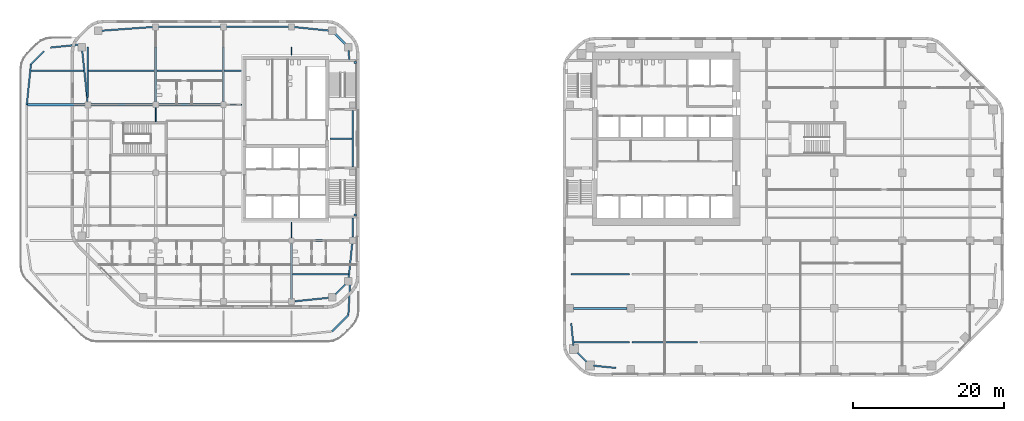
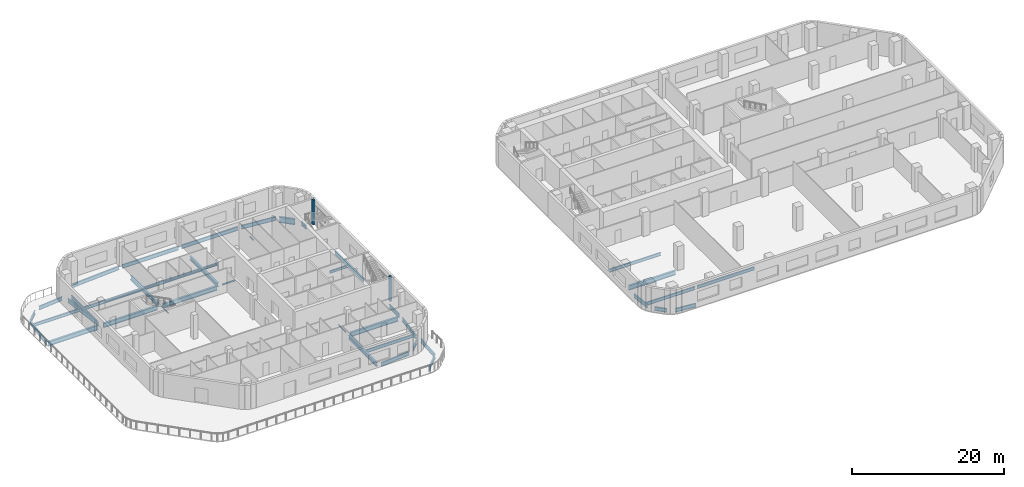
# One storey, part 2 of 15: 42 beams, 2 members.
"""IFC4 building model written with IfcOpenShell, lengths in metres."""

from ifc_helpers import new_model, si_unit, direction, frame, origin, origin_2d, place, context, subcontext, project, spatial, rectangle, i_section, extrude, material, material_profile, profile_set, type_object, element, save


model = new_model("IFC4")

# Units and contexts
model_context = context("Model", 3, precision=1e-05, world=origin(), true_north=direction((0.0, 1.0)))
body_context = subcontext(model_context, "Body", "Model", "MODEL_VIEW")
ifc_project = project(units=[si_unit("LENGTHUNIT", "METRE"), si_unit("AREAUNIT", "SQUARE_METRE"), si_unit("VOLUMEUNIT", "CUBIC_METRE"), si_unit("PLANEANGLEUNIT", "RADIAN"), si_unit("MASSUNIT", "GRAM", prefix="KILO")], contexts=[model_context])

# Site, building, storey
site_placement = place(None, origin())
site = spatial("IfcSite", under=ifc_project, at=site_placement, CompositionType="ELEMENT")
building_placement = place(site_placement, origin())
building = spatial("IfcBuilding", under=site, at=building_placement, Name="Cinnabar Reach Civic Tower", CompositionType="ELEMENT")
storey_placement = place(building_placement, frame((0.0, 0.0, 51.0)))
storey = spatial("IfcBuildingStorey", under=building, at=storey_placement, Name="L11", CompositionType="ELEMENT", Elevation=51.0)

# Beams
ifc_material_1 = material(Name="Steel Q355B", Category="steel")
ifc_material_profile_1 = material_profile(ifc_material_1, i_section(OverallWidth=0.302, OverallDepth=0.594, WebThickness=0.014, FlangeThickness=0.023, FilletRadius=0.016, at=origin_2d()), Name="HM594x302x14x23")
ifc_profile_set_1 = profile_set([ifc_material_profile_1], Name="Steel Q355B")
beam_type_1 = type_object("IfcBeamType", Name="HM594x302x14x23 beam R 120", PredefinedType="BEAM", material=ifc_profile_set_1)
for number, where, z_axis, x_axis, name in (
    (1, (-54.0, 36.402, -0.447), (0.0, 1.0, 0.0), (-1.0, 0.0, 0.0), "Girder T2 L11 10"),
    (2, (-45.0, 36.402, -0.447), (0.0, 1.0, 0.0), (-1.0, 0.0, 0.0), "Girder T2 L11 14"),
):
    element("IfcBeam", number, at=place(storey_placement, frame(where, z_axis=z_axis, x_axis=x_axis)), inside=storey, type_object=beam_type_1, Name=name, PredefinedType="BEAM", context=body_context, shape_type="SweptSolid", body=[
        extrude(i_section(OverallWidth=0.302, OverallDepth=0.594, WebThickness=0.014, FlangeThickness=0.023, FilletRadius=0.016, at=origin_2d()), origin(), (0.0, 0.0, 1.0), 7.246),
    ])
beam_1_placement = place(storey_placement, frame((-36.0, 10.202, -0.447), z_axis=(0.0, 1.0, 0.0), x_axis=(-1.0, 0.0, 0.0)))
element("IfcBeam", 3, at=beam_1_placement, inside=storey, type_object=beam_type_1, Name="Girder T2 L11 16", PredefinedType="BEAM", context=body_context, shape_type="SweptSolid", body=[
    extrude(i_section(OverallWidth=0.302, OverallDepth=0.594, WebThickness=0.014, FlangeThickness=0.023, FilletRadius=0.016, at=origin_2d()), origin(), (0.0, 0.0, 1.0), 7.396),
])
ifc_material_profile_2 = material_profile(ifc_material_1, i_section(OverallWidth=0.099, OverallDepth=0.198, WebThickness=0.0045, FlangeThickness=0.007, FilletRadius=0.013, at=origin_2d()), Name="HN200x100x5.5x8")
ifc_profile_set_2 = profile_set([ifc_material_profile_2], Name="Steel Q355B")
beam_type_2 = type_object("IfcBeamType", Name="HN200x100x5.5x8 beam R 120", PredefinedType="BEAM", material=ifc_profile_set_2)
beam_2_placement = place(storey_placement, frame((-54.0, 33.752, -0.249), z_axis=(0.0, 1.0, 0.0), x_axis=(-1.0, 0.0, 0.0)))
element("IfcBeam", 4, at=beam_2_placement, inside=storey, type_object=beam_type_2, Name="Girder T2 L11 9", PredefinedType="BEAM", context=body_context, shape_type="SweptSolid", body=[
    extrude(i_section(OverallWidth=0.099, OverallDepth=0.198, WebThickness=0.0045, FlangeThickness=0.007, FilletRadius=0.013, at=origin_2d()), origin(), (0.0, 0.0, 1.0), 1.846),
])
beam_3_placement = place(storey_placement, frame((-36.0, 18.402, -0.249), z_axis=(0.0, 1.0, 0.0), x_axis=(-1.0, 0.0, 0.0)))
element("IfcBeam", 5, at=beam_3_placement, inside=storey, type_object=beam_type_2, Name="Girder T2 L11 17", PredefinedType="BEAM", context=body_context, shape_type="SweptSolid", body=[
    extrude(i_section(OverallWidth=0.099, OverallDepth=0.198, WebThickness=0.0045, FlangeThickness=0.007, FilletRadius=0.013, at=origin_2d()), origin(), (0.0, 0.0, 1.0), 1.996),
])
beam_4_placement = place(storey_placement, frame((-36.0, 42.602, -0.249), z_axis=(0.0, 1.0, 0.0), x_axis=(-1.0, 0.0, 0.0)))
element("IfcBeam", 6, at=beam_4_placement, inside=storey, type_object=beam_type_2, Name="Girder T2 L11 18", PredefinedType="BEAM", context=body_context, shape_type="SweptSolid", body=[
    extrude(i_section(OverallWidth=0.099, OverallDepth=0.198, WebThickness=0.0045, FlangeThickness=0.007, FilletRadius=0.013, at=origin_2d()), origin(), (0.0, 0.0, 1.0), 1.046),
])
ifc_material_profile_3 = material_profile(ifc_material_1, i_section(OverallWidth=0.124, OverallDepth=0.248, WebThickness=0.005, FlangeThickness=0.008, FilletRadius=0.013, at=origin_2d()), Name="HN250x125x6x9")
ifc_profile_set_3 = profile_set([ifc_material_profile_3], Name="Steel Q355B")
beam_type_3 = type_object("IfcBeamType", Name="HN250x125x6x9 beam R 120", PredefinedType="BEAM", material=ifc_profile_set_3)
beam_5_placement = place(storey_placement, frame((-44.598, 36.0, -0.274), z_axis=(1.0, 0.0, 0.0), x_axis=(0.0, 1.0, 0.0)))
element("IfcBeam", 7, at=beam_5_placement, inside=storey, type_object=beam_type_3, Name="Girder T2 L11 13", PredefinedType="BEAM", context=body_context, shape_type="SweptSolid", body=[
    extrude(i_section(OverallWidth=0.124, OverallDepth=0.248, WebThickness=0.005, FlangeThickness=0.008, FilletRadius=0.013, at=origin_2d()), origin(), (0.0, 0.0, 1.0), 1.996),
])
ifc_material_profile_4 = material_profile(ifc_material_1, i_section(OverallWidth=0.199, OverallDepth=0.396, WebThickness=0.007, FlangeThickness=0.011, FilletRadius=0.013, at=origin_2d()), Name="HN396x199x7x11")
ifc_profile_set_4 = profile_set([ifc_material_profile_4], Name="Steel Q355B")
beam_type_4 = type_object("IfcBeamType", Name="HN396x199x7x11 beam R 120", PredefinedType="BEAM", material=ifc_profile_set_4)
beam_6_placement = place(storey_placement, frame((-30.898, 31.5, -0.348), z_axis=(1.0, 0.0, 0.0), x_axis=(0.0, 1.0, 0.0)))
element("IfcBeam", 8, at=beam_6_placement, inside=storey, type_object=beam_type_4, Name="Secondary beam T2 L11 15", PredefinedType="BEAM", context=body_context, shape_type="SweptSolid", body=[
    extrude(i_section(OverallWidth=0.199, OverallDepth=0.396, WebThickness=0.007, FlangeThickness=0.011, FilletRadius=0.013, at=origin_2d()), origin(), (0.0, 0.0, 1.0), 2.896),
])
beam_7_placement = place(storey_placement, frame((-44.847, 40.5, -0.348), z_axis=(1.0, 0.0, 0.0), x_axis=(0.0, 1.0, 0.0)))
element("IfcBeam", 9, at=beam_7_placement, inside=storey, type_object=beam_type_4, Name="Secondary beam T2 L11 19", PredefinedType="BEAM", context=body_context, shape_type="SweptSolid", body=[
    extrude(i_section(OverallWidth=0.199, OverallDepth=0.396, WebThickness=0.007, FlangeThickness=0.011, FilletRadius=0.013, at=origin_2d()), origin(), (0.0, 0.0, 1.0), 2.245),
])
ifc_material_profile_5 = material_profile(ifc_material_1, i_section(OverallWidth=0.199, OverallDepth=0.496, WebThickness=0.009, FlangeThickness=0.014, FilletRadius=0.016, at=origin_2d()), Name="HN496x199x9x14")
ifc_profile_set_5 = profile_set([ifc_material_profile_5], Name="Steel Q355B")
beam_type_5 = type_object("IfcBeamType", Name="HN496x199x9x14 beam R 120", PredefinedType="BEAM", material=ifc_profile_set_5)
beam_8_placement = place(storey_placement, frame((-35.847, 13.5, -0.398), z_axis=(1.0, 0.0, 0.0), x_axis=(0.0, 1.0, 0.0)))
element("IfcBeam", 10, at=beam_8_placement, inside=storey, type_object=beam_type_5, Name="Secondary beam T2 L11 6", PredefinedType="BEAM", context=body_context, shape_type="SweptSolid", body=[
    extrude(i_section(OverallWidth=0.199, OverallDepth=0.496, WebThickness=0.009, FlangeThickness=0.014, FilletRadius=0.016, at=origin_2d()), origin(), (0.0, 0.0, 1.0), 7.3834),
])
beam_9_placement = place(storey_placement, frame((-70.5364, 40.5, -0.398), z_axis=(1.0, 0.0, 0.0), x_axis=(0.0, 1.0, 0.0)))
element("IfcBeam", 11, at=beam_9_placement, inside=storey, type_object=beam_type_5, Name="Secondary beam T2 L11 16", PredefinedType="BEAM", context=body_context, shape_type="SweptSolid", body=[
    extrude(i_section(OverallWidth=0.199, OverallDepth=0.496, WebThickness=0.009, FlangeThickness=0.014, FilletRadius=0.016, at=origin_2d()), origin(), (0.0, 0.0, 1.0), 6.965),
])
beam_10_placement = place(storey_placement, frame((-62.8985, 40.5, -0.398), z_axis=(1.0, 0.0, 0.0), x_axis=(0.0, 1.0, 0.0)))
element("IfcBeam", 12, at=beam_10_placement, inside=storey, type_object=beam_type_5, Name="Secondary beam T2 L11 17", PredefinedType="BEAM", context=body_context, shape_type="SweptSolid", body=[
    extrude(i_section(OverallWidth=0.199, OverallDepth=0.496, WebThickness=0.009, FlangeThickness=0.014, FilletRadius=0.016, at=origin_2d()), origin(), (0.0, 0.0, 1.0), 8.7455),
])
beam_11_placement = place(storey_placement, frame((-53.847, 40.5, -0.398), z_axis=(1.0, 0.0, 0.0), x_axis=(0.0, 1.0, 0.0)))
element("IfcBeam", 13, at=beam_11_placement, inside=storey, type_object=beam_type_5, Name="Secondary beam T2 L11 18", PredefinedType="BEAM", context=body_context, shape_type="SweptSolid", body=[
    extrude(i_section(OverallWidth=0.199, OverallDepth=0.496, WebThickness=0.009, FlangeThickness=0.014, FilletRadius=0.016, at=origin_2d()), origin(), (0.0, 0.0, 1.0), 8.694),
])
ifc_material_profile_6 = material_profile(ifc_material_1, i_section(OverallWidth=0.2, OverallDepth=0.5, WebThickness=0.01, FlangeThickness=0.016, FilletRadius=0.016, at=origin_2d()), Name="HN500x200x10x16")
ifc_profile_set_6 = profile_set([ifc_material_profile_6], Name="Steel Q355B")
beam_type_6 = type_object("IfcBeamType", Name="HN500x200x10x16 beam R 180", PredefinedType="BEAM", material=ifc_profile_set_6)
beam_12_placement = place(storey_placement, frame((1.4636, 4.5, -0.4), z_axis=(1.0, 0.0, 0.0), x_axis=(0.0, 1.0, 0.0)))
element("IfcBeam", 14, at=beam_12_placement, inside=storey, type_object=beam_type_6, Name="Secondary beam T1 L11 1", PredefinedType="BEAM", context=body_context, shape_type="SweptSolid", body=[
    extrude(i_section(OverallWidth=0.2, OverallDepth=0.5, WebThickness=0.01, FlangeThickness=0.016, FilletRadius=0.016, at=origin_2d()), origin(), (0.0, 0.0, 1.0), 7.3819),
])
beam_13_placement = place(storey_placement, frame((9.1545, 4.5, -0.4), z_axis=(1.0, 0.0, 0.0), x_axis=(0.0, 1.0, 0.0)))
element("IfcBeam", 15, at=beam_13_placement, inside=storey, type_object=beam_type_6, Name="Secondary beam T1 L11 2", PredefinedType="BEAM", context=body_context, shape_type="SweptSolid", body=[
    extrude(i_section(OverallWidth=0.2, OverallDepth=0.5, WebThickness=0.01, FlangeThickness=0.016, FilletRadius=0.016, at=origin_2d()), origin(), (0.0, 0.0, 1.0), 8.691),
])
beam_14_placement = place(storey_placement, frame((1.102, 13.5, -0.4), z_axis=(1.0, 0.0, 0.0), x_axis=(0.0, 1.0, 0.0)))
element("IfcBeam", 16, at=beam_14_placement, inside=storey, type_object=beam_type_6, Name="Secondary beam T1 L11 7", PredefinedType="BEAM", context=body_context, shape_type="SweptSolid", body=[
    extrude(i_section(OverallWidth=0.2, OverallDepth=0.5, WebThickness=0.01, FlangeThickness=0.016, FilletRadius=0.016, at=origin_2d()), origin(), (0.0, 0.0, 1.0), 7.7435),
])
ifc_material_profile_7 = material_profile(ifc_material_1, i_section(OverallWidth=0.199, OverallDepth=0.596, WebThickness=0.01, FlangeThickness=0.015, FilletRadius=0.016, at=origin_2d()), Name="HN596x199x10x15")
ifc_profile_set_7 = profile_set([ifc_material_profile_7], Name="Steel Q355B")
beam_type_7 = type_object("IfcBeamType", Name="HN596x199x10x15 beam R 120", PredefinedType="BEAM", material=ifc_profile_set_7)
beam_15_placement = place(storey_placement, frame((-63.0, 36.9842, -0.448), z_axis=(0.0, 1.0, 0.0), x_axis=(-1.0, 0.0, 0.0)))
element("IfcBeam", 17, at=beam_15_placement, inside=storey, type_object=beam_type_7, Name="Girder T2 L11 4", PredefinedType="BEAM", context=body_context, shape_type="SweptSolid", body=[
    extrude(i_section(OverallWidth=0.199, OverallDepth=0.596, WebThickness=0.01, FlangeThickness=0.015, FilletRadius=0.016, at=origin_2d()), origin(), (0.0, 0.0, 1.0), 6.6638),
])
ifc_material_profile_8 = material_profile(ifc_material_1, i_section(OverallWidth=0.2, OverallDepth=0.6, WebThickness=0.011, FlangeThickness=0.017, FilletRadius=0.016, at=origin_2d()), Name="HN600x200x11x17")
ifc_profile_set_8 = profile_set([ifc_material_profile_8], Name="Steel Q355B")
beam_type_8 = type_object("IfcBeamType", Name="HN600x200x11x17 beam R 120", PredefinedType="BEAM", material=ifc_profile_set_8)
beam_16_placement = place(storey_placement, frame((-35.548, 9.9463, -0.45), z_axis=(0.994792272495, 0.101923179821, 0.0), x_axis=(-0.101923179821, 0.994792272495, 0.0)))
element("IfcBeam", 18, at=beam_16_placement, inside=storey, type_object=beam_type_8, Name="Edge beam T2 L11 3", PredefinedType="BEAM", context=body_context, shape_type="SweptSolid", body=[
    extrude(i_section(OverallWidth=0.2, OverallDepth=0.6, WebThickness=0.011, FlangeThickness=0.017, FilletRadius=0.016, at=origin_2d()), origin(), (0.0, 0.0, 1.0), 4.5377),
])
beam_17_placement = place(storey_placement, frame((-30.1699, 10.8851, -0.45), z_axis=(0.707106781187, 0.707106781187, 0.0), x_axis=(-0.707106781187, 0.707106781187, 0.0)))
element("IfcBeam", 19, at=beam_17_placement, inside=storey, type_object=beam_type_8, Name="Edge beam T2 L11 4", PredefinedType="BEAM", context=body_context, shape_type="SweptSolid", body=[
    extrude(i_section(OverallWidth=0.2, OverallDepth=0.6, WebThickness=0.011, FlangeThickness=0.017, FilletRadius=0.016, at=origin_2d()), origin(), (0.0, 0.0, 1.0), 1.817),
])
beam_18_placement = place(storey_placement, frame((-28.4088, 13.0339, -0.45), z_axis=(0.101923179821, 0.994792272495, 0.0), x_axis=(-0.994792272495, 0.101923179821, 0.0)))
element("IfcBeam", 20, at=beam_18_placement, inside=storey, type_object=beam_type_8, Name="Edge beam T2 L11 5", PredefinedType="BEAM", context=body_context, shape_type="SweptSolid", body=[
    extrude(i_section(OverallWidth=0.2, OverallDepth=0.6, WebThickness=0.011, FlangeThickness=0.017, FilletRadius=0.016, at=origin_2d()), origin(), (0.0, 0.0, 1.0), 4.5377),
])
beam_19_placement = place(storey_placement, frame((-27.9, 18.452, -0.45), z_axis=(0.0, 1.0, 0.0), x_axis=(-1.0, 0.0, 0.0)))
element("IfcBeam", 21, at=beam_19_placement, inside=storey, type_object=beam_type_8, Name="Edge beam T2 L11 6", PredefinedType="BEAM", context=body_context, shape_type="SweptSolid", body=[
    extrude(i_section(OverallWidth=0.2, OverallDepth=0.6, WebThickness=0.011, FlangeThickness=0.017, FilletRadius=0.016, at=origin_2d()), origin(), (0.0, 0.0, 1.0), 2.546),
])
beam_20_placement = place(storey_placement, frame((-27.9, 27.752, -0.45), z_axis=(0.0, 1.0, 0.0), x_axis=(-1.0, 0.0, 0.0)))
element("IfcBeam", 22, at=beam_20_placement, inside=storey, type_object=beam_type_8, Name="Edge beam T2 L11 7", PredefinedType="BEAM", context=body_context, shape_type="SweptSolid", body=[
    extrude(i_section(OverallWidth=0.2, OverallDepth=0.6, WebThickness=0.011, FlangeThickness=0.017, FilletRadius=0.016, at=origin_2d()), origin(), (0.0, 0.0, 1.0), 7.496),
])
beam_21_placement = place(storey_placement, frame((-28.3341, 42.002, -0.45), z_axis=(-0.072128581669, 0.997395341731, 0.0), x_axis=(-0.997395341731, -0.072128581669, 0.0)))
element("IfcBeam", 23, at=beam_21_placement, inside=storey, type_object=beam_type_8, Name="Edge beam T2 L11 8", PredefinedType="BEAM", context=body_context, shape_type="SweptSolid", body=[
    extrude(i_section(OverallWidth=0.2, OverallDepth=0.6, WebThickness=0.011, FlangeThickness=0.017, FilletRadius=0.016, at=origin_2d()), origin(), (0.0, 0.0, 1.0), 1.2173),
])
beam_22_placement = place(storey_placement, frame((-30.7971, 45.8169, -0.45), z_axis=(-0.994792202154, 0.10192386636, 0.0), x_axis=(-0.10192386636, -0.994792202154, 0.0)))
element("IfcBeam", 24, at=beam_22_placement, inside=storey, type_object=beam_type_8, Name="Edge beam T2 L11 10", PredefinedType="BEAM", context=body_context, shape_type="SweptSolid", body=[
    extrude(i_section(OverallWidth=0.2, OverallDepth=0.6, WebThickness=0.011, FlangeThickness=0.017, FilletRadius=0.016, at=origin_2d()), origin(), (0.0, 0.0, 1.0), 4.9782),
])
for number, where, z_axis, x_axis, name in (
    (25, (-36.2519, 46.35, -0.45), (-1.0, 0.0, 0.0), (0.0, -1.0, 0.0), "Edge beam T2 L11 11"),
    (26, (-45.2519, 46.35, -0.45), (-1.0, 0.0, 0.0), (0.0, -1.0, 0.0), "Edge beam T2 L11 12"),
):
    element("IfcBeam", number, at=place(storey_placement, frame(where, z_axis=z_axis, x_axis=x_axis)), inside=storey, type_object=beam_type_8, Name=name, PredefinedType="BEAM", context=body_context, shape_type="SweptSolid", body=[
        extrude(i_section(OverallWidth=0.2, OverallDepth=0.6, WebThickness=0.011, FlangeThickness=0.017, FilletRadius=0.016, at=origin_2d()), origin(), (0.0, 0.0, 1.0), 8.4962),
    ])
beam_23_placement = place(storey_placement, frame((-54.2511, 46.3318, -0.45), z_axis=(-0.997395450308, -0.072127080252, 0.0), x_axis=(0.072127080252, -0.997395450308, 0.0)))
element("IfcBeam", 27, at=beam_23_placement, inside=storey, type_object=beam_type_8, Name="Edge beam T2 L11 13", PredefinedType="BEAM", context=body_context, shape_type="SweptSolid", body=[
    extrude(i_section(OverallWidth=0.2, OverallDepth=0.6, WebThickness=0.011, FlangeThickness=0.017, FilletRadius=0.016, at=origin_2d()), origin(), (0.0, 0.0, 1.0), 7.3565),
])
beam_24_placement = place(storey_placement, frame((-63.7519, 43.2161, -0.45), z_axis=(0.10363608634, -0.994615283217, 0.0), x_axis=(0.994615283217, 0.10363608634, 0.0)))
element("IfcBeam", 28, at=beam_24_placement, inside=storey, type_object=beam_type_8, Name="Edge beam T2 L11 14", PredefinedType="BEAM", context=body_context, shape_type="SweptSolid", body=[
    extrude(i_section(OverallWidth=0.2, OverallDepth=0.6, WebThickness=0.011, FlangeThickness=0.017, FilletRadius=0.016, at=origin_2d()), origin(), (0.0, 0.0, 1.0), 6.8007),
])
beam_25_placement = place(storey_placement, frame((-30.6019, 5.9531, -0.45), z_axis=(0.707106781187, 0.707106781187, 0.0), x_axis=(-0.707106781187, 0.707106781187, 0.0)))
element("IfcBeam", 29, at=beam_25_placement, inside=storey, type_object=beam_type_8, Name="Edge beam T2 L11 22", PredefinedType="BEAM", context=body_context, shape_type="SweptSolid", body=[
    extrude(i_section(OverallWidth=0.2, OverallDepth=0.6, WebThickness=0.011, FlangeThickness=0.017, FilletRadius=0.016, at=origin_2d()), origin(), (0.0, 0.0, 1.0), 3.0389),
])
beam_26_placement = place(storey_placement, frame((-28.4531, 8.1019, -0.45), z_axis=(0.055788104725, 0.998442630986, 0.0), x_axis=(-0.998442630986, 0.055788104725, 0.0)))
element("IfcBeam", 30, at=beam_26_placement, inside=storey, type_object=beam_type_8, Name="Edge beam T2 L11 23", PredefinedType="BEAM", context=body_context, shape_type="SweptSolid", body=[
    extrude(i_section(OverallWidth=0.2, OverallDepth=0.6, WebThickness=0.011, FlangeThickness=0.017, FilletRadius=0.016, at=origin_2d()), origin(), (0.0, 0.0, 1.0), 4.0743),
])
beam_27_placement = place(storey_placement, frame((-64.2289, 43.9741, -0.45), z_axis=(-0.994792309026, -0.10192282327, 0.0), x_axis=(0.10192282327, -0.994792309026, 0.0)))
element("IfcBeam", 31, at=beam_27_placement, inside=storey, type_object=beam_type_8, Name="Edge beam T2 L11 24", PredefinedType="BEAM", context=body_context, shape_type="SweptSolid", body=[
    extrude(i_section(OverallWidth=0.2, OverallDepth=0.6, WebThickness=0.011, FlangeThickness=0.017, FilletRadius=0.016, at=origin_2d()), origin(), (0.0, 0.0, 1.0), 3.7568),
])
beam_28_placement = place(storey_placement, frame((-68.8301, 43.1149, -0.45), z_axis=(-0.707106781187, -0.707106781187, 0.0), x_axis=(0.707106781187, -0.707106781187, 0.0)))
element("IfcBeam", 32, at=beam_28_placement, inside=storey, type_object=beam_type_8, Name="Edge beam T2 L11 25", PredefinedType="BEAM", context=body_context, shape_type="SweptSolid", body=[
    extrude(i_section(OverallWidth=0.2, OverallDepth=0.6, WebThickness=0.011, FlangeThickness=0.017, FilletRadius=0.016, at=origin_2d()), origin(), (0.0, 0.0, 1.0), 2.4279),
])
beam_29_placement = place(storey_placement, frame((-70.5469, 41.3981, -0.45), z_axis=(-0.101928329245, -0.994791744888, 0.0), x_axis=(0.994791744888, -0.101928329245, 0.0)))
element("IfcBeam", 33, at=beam_29_placement, inside=storey, type_object=beam_type_8, Name="Edge beam T2 L11 26", PredefinedType="BEAM", context=body_context, shape_type="SweptSolid", body=[
    extrude(i_section(OverallWidth=0.2, OverallDepth=0.6, WebThickness=0.011, FlangeThickness=0.017, FilletRadius=0.016, at=origin_2d()), origin(), (0.0, 0.0, 1.0), 5.4264),
])
ifc_material_profile_9 = material_profile(ifc_material_1, i_section(OverallWidth=0.2, OverallDepth=0.6, WebThickness=0.011, FlangeThickness=0.017, FilletRadius=0.016, at=origin_2d()), Name="HN600x200x11x17")
ifc_profile_set_9 = profile_set([ifc_material_profile_9], Name="Steel Q355B")
beam_type_9 = type_object("IfcBeamType", Name="HN600x200x11x17 beam R 180", PredefinedType="BEAM", material=ifc_profile_set_9)
for number, where, z_axis, x_axis, name in (
    (34, (4.0839, 1.4037, -0.45), (0.994792071632, -0.101925140261, 0.0), (0.101925140261, 0.994792071632, 0.0), "Edge beam T1 L11 1"),
    (35, (1.102, 7.0285, -0.45), (0.101925140261, -0.994792071632, 0.0), (0.994792071632, 0.101925140261, 0.0), "Edge beam T1 L11 11"),
):
    element("IfcBeam", number, at=place(storey_placement, frame(where, z_axis=z_axis, x_axis=x_axis)), inside=storey, type_object=beam_type_9, Name=name, PredefinedType="BEAM", context=body_context, shape_type="SweptSolid", body=[
        extrude(i_section(OverallWidth=0.2, OverallDepth=0.6, WebThickness=0.011, FlangeThickness=0.017, FilletRadius=0.016, at=origin_2d()), origin(), (0.0, 0.0, 1.0), 2.96),
    ])
beam_30_placement = place(storey_placement, frame((1.9351, 3.1199, -0.45), z_axis=(0.707106781187, -0.707106781187, 0.0), x_axis=(0.707106781187, 0.707106781187, 0.0)))
element("IfcBeam", 36, at=beam_30_placement, inside=storey, type_object=beam_type_9, Name="Edge beam T1 L11 12", PredefinedType="BEAM", context=body_context, shape_type="SweptSolid", body=[
    extrude(i_section(OverallWidth=0.2, OverallDepth=0.6, WebThickness=0.011, FlangeThickness=0.017, FilletRadius=0.016, at=origin_2d()), origin(), (0.0, 0.0, 1.0), 1.6756),
])
ifc_material_profile_10 = material_profile(ifc_material_1, i_section(OverallWidth=0.3, OverallDepth=0.692, WebThickness=0.013, FlangeThickness=0.02, FilletRadius=0.016, at=origin_2d()), Name="HN692x300x13x20")
ifc_profile_set_10 = profile_set([ifc_material_profile_10], Name="Steel Q355B")
beam_type_10 = type_object("IfcBeamType", Name="HN692x300x13x20 beam R 120", PredefinedType="BEAM", material=ifc_profile_set_10)
beam_31_placement = place(storey_placement, frame((-35.598, 18.0, -0.496), z_axis=(1.0, 0.0, 0.0), x_axis=(0.0, 1.0, 0.0)))
element("IfcBeam", 37, at=beam_31_placement, inside=storey, type_object=beam_type_10, Name="Girder T2 L11 5", PredefinedType="BEAM", context=body_context, shape_type="SweptSolid", body=[
    extrude(i_section(OverallWidth=0.3, OverallDepth=0.692, WebThickness=0.013, FlangeThickness=0.02, FilletRadius=0.016, at=origin_2d()), origin(), (0.0, 0.0, 1.0), 7.246),
])
beam_32_placement = place(storey_placement, frame((-70.9975, 36.0, -0.496), z_axis=(1.0, 0.0, 0.0), x_axis=(0.0, 1.0, 0.0)))
element("IfcBeam", 38, at=beam_32_placement, inside=storey, type_object=beam_type_10, Name="Girder T2 L11 10", PredefinedType="BEAM", context=body_context, shape_type="SweptSolid", body=[
    extrude(i_section(OverallWidth=0.3, OverallDepth=0.692, WebThickness=0.013, FlangeThickness=0.02, FilletRadius=0.016, at=origin_2d()), origin(), (0.0, 0.0, 1.0), 7.5955),
])
for number, where, z_axis, x_axis, name in (
    (39, (-62.598, 36.0, -0.496), (1.0, 0.0, 0.0), (0.0, 1.0, 0.0), "Girder T2 L11 11"),
    (40, (-53.598, 36.0, -0.496), (1.0, 0.0, 0.0), (0.0, 1.0, 0.0), "Girder T2 L11 12"),
):
    element("IfcBeam", number, at=place(storey_placement, frame(where, z_axis=z_axis, x_axis=x_axis)), inside=storey, type_object=beam_type_10, Name=name, PredefinedType="BEAM", context=body_context, shape_type="SweptSolid", body=[
        extrude(i_section(OverallWidth=0.3, OverallDepth=0.692, WebThickness=0.013, FlangeThickness=0.02, FilletRadius=0.016, at=origin_2d()), origin(), (0.0, 0.0, 1.0), 8.196),
    ])
ifc_material_profile_11 = material_profile(ifc_material_1, i_section(OverallWidth=0.3, OverallDepth=0.7, WebThickness=0.013, FlangeThickness=0.024, FilletRadius=0.02, at=origin_2d()), Name="HN700x300x13x24")
ifc_profile_set_11 = profile_set([ifc_material_profile_11], Name="Steel Q355B")
beam_type_11 = type_object("IfcBeamType", Name="HN700x300x13x24 beam R 180", PredefinedType="BEAM", material=ifc_profile_set_11)
beam_33_placement = place(storey_placement, frame((1.402, 9.0, -0.5), z_axis=(1.0, 0.0, 0.0), x_axis=(0.0, 1.0, 0.0)))
element("IfcBeam", 41, at=beam_33_placement, inside=storey, type_object=beam_type_11, Name="Girder T1 L11 1", PredefinedType="BEAM", context=body_context, shape_type="SweptSolid", body=[
    extrude(i_section(OverallWidth=0.3, OverallDepth=0.7, WebThickness=0.013, FlangeThickness=0.024, FilletRadius=0.02, at=origin_2d()), origin(), (0.0, 0.0, 1.0), 7.096),
])

# Members
ifc_material_2 = material(Name="Concrete C40", Category="concrete")
ifc_material_profile_12 = material_profile(ifc_material_2, rectangle(XDim=0.3, YDim=0.3, at=origin_2d()), Name="C300")
ifc_profile_set_12 = profile_set([ifc_material_profile_12], Name="Concrete C40")
member_type = type_object("IfcMemberType", Name="T2 stair post 300", PredefinedType="STRUT", material=ifc_profile_set_12)
for number, where, z_axis, x_axis, name in (
    (42, (-27.55, 21.4, 0.0), (0.0, 0.0, 1.0), (1.0, 0.0, 0.0), "Stair post 1"),
    (43, (-27.55, 41.6, 0.0), (0.0, 0.0, 1.0), (1.0, 0.0, 0.0), "Stair post 2"),
):
    element("IfcMember", number, at=place(storey_placement, frame(where, z_axis=z_axis, x_axis=x_axis)), inside=storey, type_object=member_type, Name=name, PredefinedType="STRUT", context=body_context, shape_type="SweptSolid", body=[
        extrude(rectangle(XDim=0.3, YDim=0.3, at=origin_2d()), origin(), (0.0, 0.0, 1.0), 4.0),
    ])

# Beam
ifc_material_profile_13 = material_profile(ifc_material_1, i_section(OverallWidth=0.3, OverallDepth=0.9, WebThickness=0.016, FlangeThickness=0.028, FilletRadius=0.02, at=origin_2d()), Name="HN900x300x16x28")
ifc_profile_set_13 = profile_set([ifc_material_profile_13], Name="Steel Q355B")
beam_type_12 = type_object("IfcBeamType", Name="TRANSFER HN900x300x16x28 R 180", PredefinedType="BEAM", material=ifc_profile_set_13)
beam_34_placement = place(storey_placement, frame((-28.8851, 44.0801, -0.6), z_axis=(-0.707106781187, 0.707106781187, 0.0), x_axis=(-0.707106781187, -0.707106781187, 0.0)))
element("IfcBeam", 44, at=beam_34_placement, inside=storey, type_object=beam_type_12, Name="Edge beam T2 L11 9", PredefinedType="BEAM", context=body_context, shape_type="SweptSolid", body=[
    extrude(i_section(OverallWidth=0.3, OverallDepth=0.9, WebThickness=0.016, FlangeThickness=0.028, FilletRadius=0.02, at=origin_2d()), origin(), (0.0, 0.0, 1.0), 2.1423),
])

save(model, "model.ifc")
